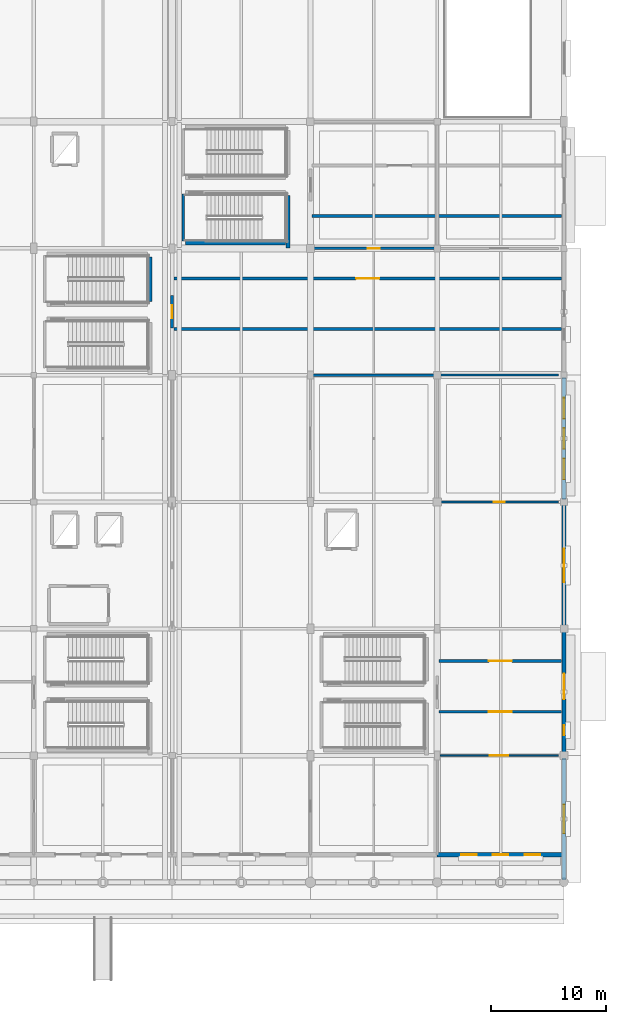
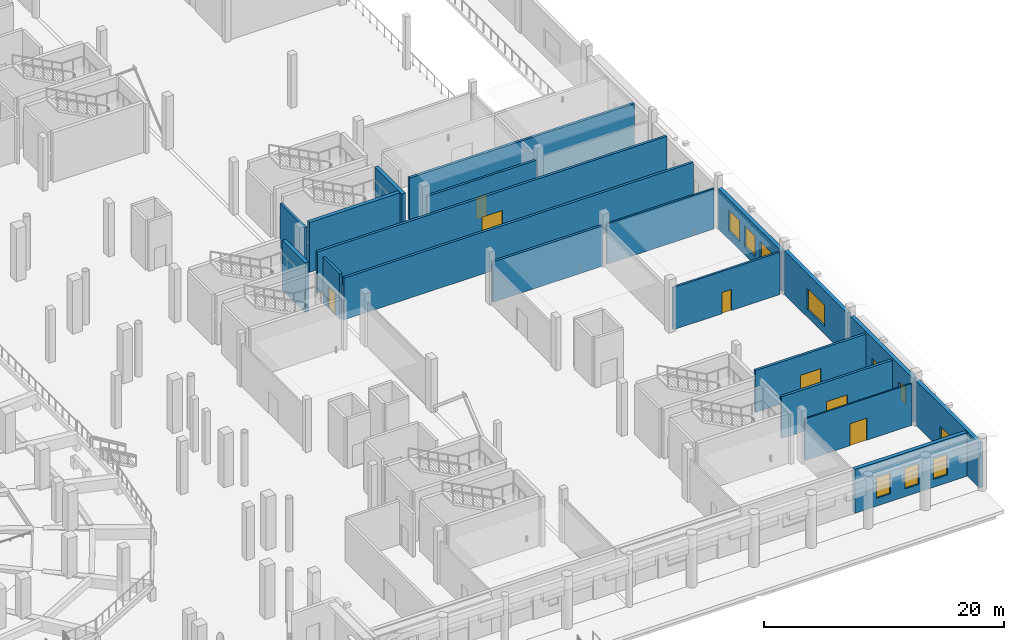
# One storey, part 65 of 120: 20 walls, 9 windows, 8 doors, 17 openings.
"""IFC4 building model written with IfcOpenShell, lengths in metres."""

from ifc_helpers import new_model, si_unit, direction, frame, frame_2d, origin, place, context, subcontext, project, spatial, rectangle, extrude, material, layer, layer_set, type_object, element, fill, save


model = new_model("IFC4")

# Units and contexts
model_context = context("Model", 3, precision=1e-05, world=origin(), true_north=direction((0.0, 1.0)))
body_context = subcontext(model_context, "Body", "Model", "MODEL_VIEW")
ifc_project = project(units=[si_unit("LENGTHUNIT", "METRE"), si_unit("AREAUNIT", "SQUARE_METRE"), si_unit("VOLUMEUNIT", "CUBIC_METRE"), si_unit("PLANEANGLEUNIT", "RADIAN"), si_unit("MASSUNIT", "GRAM", prefix="KILO")], contexts=[model_context])

# Site, building, storey
site_placement = place(None, origin())
site = spatial("IfcSite", under=ifc_project, at=site_placement, CompositionType="ELEMENT")
building_placement = place(site_placement, origin())
building = spatial("IfcBuilding", under=site, at=building_placement, Name="Luwafu Chhajja Arena", CompositionType="ELEMENT")
storey_placement = place(building_placement, origin())
storey = spatial("IfcBuildingStorey", under=building, at=storey_placement, Name="L00", CompositionType="ELEMENT", Elevation=0.0)

# Wall, opening, door
ifc_material_1 = material(Name="Acoustic gypsum and mineral wool partition")
ifc_layer_1 = layer(ifc_material_1, 0.199951171875, Name="Acoustic gypsum and mineral wool partition")
ifc_layer_set_1 = layer_set([ifc_layer_1], Name="Acoustic gypsum and mineral wool partition")
wall_type_1 = type_object("IfcWallType", Name="Acoustic Broadcast Studio Partition 200", PredefinedType="PARTITIONING", material=ifc_layer_set_1)
wall_1_placement = place(storey_placement, frame((187.219970703125, 33.0, 0.0), z_axis=(0.0, 0.0, 1.0), x_axis=(1.0, 0.0, 0.0)))
wall_1 = element("IfcWall", 1, at=wall_1_placement, inside=storey, type_object=wall_type_1, Name="L00 Internal Partition 0192", PredefinedType="PARTITIONING", context=body_context, shape_type="SweptSolid", body=[
    extrude(rectangle(XDim=10.300048828125, YDim=0.199951171875, at=frame_2d((5.14990234375, 0.0))), origin(), (0.0, 0.0, 1.0), 4.300048828125),
])
opening_1_placement = place(wall_1_placement, frame((4.679931640625, 0.0, 0.0)))
opening_1 = element("IfcOpeningElement", 2, at=opening_1_placement, cuts=wall_1, Name="Opening DR-17", PredefinedType="OPENING", context=body_context, shape_type="SweptSolid", body=[
    extrude(rectangle(XDim=0.93994140625, YDim=2.14990234375, at=frame_2d((0.469970703125, 1.074951171875))), frame((0.0, 0.10986328125, 0.0), z_axis=(0.0, -1.0, 0.0), x_axis=(1.0, 0.0, 0.0)), (0.0, 0.0, 1.0), 0.219970703125),
])
ifc_material_2 = material(Name="Acoustic steel-core timber door", Category="steel")
door_type_1 = type_object("IfcDoorType", Name="DR-17", OperationType="NOTDEFINED", PredefinedType="DOOR", material=ifc_material_2)
door_1_placement = place(opening_1_placement, origin())
door_1 = element("IfcDoor", 3, at=door_1_placement, inside=storey, type_object=door_type_1, Name="L00 Interior Door L00-D060", OperationType="SINGLE_SWING_LEFT", OverallHeight=2.14990234375, OverallWidth=0.93994140625, PredefinedType="DOOR", context=body_context, shape_type="SweptSolid", body=[
    extrude(rectangle(XDim=0.93994140625, YDim=2.14990234375, at=frame_2d((0.469970703125, 1.074951171875))), frame((0.0, 0.02490234375, 0.0), z_axis=(0.0, -1.0, 0.0), x_axis=(1.0, 0.0, 0.0)), (0.0, 0.0, 1.0), 0.050048828125),
])
fill(opening_1, door_1)

# Walls
ifc_material_3 = material(Name="Concrete blockwork masonry", Category="masonry")
ifc_layer_2 = layer(ifc_material_3, 0.239990234375, Name="Concrete blockwork masonry")
ifc_layer_set_2 = layer_set([ifc_layer_2], Name="Concrete blockwork masonry")
wall_type_2 = type_object("IfcWallType", Name="Compartment Masonry Partition 240", PredefinedType="PARTITIONING", material=ifc_layer_set_2)
wall_2_placement = place(storey_placement, frame((176.219970703125, 44.0, 0.0), z_axis=(0.0, 0.0, 1.0), x_axis=(1.0, 0.0, 0.0)))
element("IfcWall", 4, at=wall_2_placement, inside=storey, type_object=wall_type_2, Name="L00 Internal Partition 0187", PredefinedType="PARTITIONING", context=body_context, shape_type="SweptSolid", body=[
    extrude(rectangle(XDim=10.56005859375, YDim=0.239990234375, at=frame_2d((5.280029296875, 0.0))), origin(), (0.0, 0.0, 1.0), 4.10009765625),
])
wall_3_placement = place(storey_placement, frame((176.14990234375, 57.800048828125, 0.0), z_axis=(0.0, 0.0, 1.0), x_axis=(1.0, 0.0, 0.0)))
element("IfcWall", 5, at=wall_3_placement, inside=storey, type_object=wall_type_2, Name="L00 Protected Exit Passageway EI 120 Wall WXP-C10-S", PredefinedType="PARTITIONING", context=body_context, shape_type="SweptSolid", body=[
    extrude(rectangle(XDim=21.650146484375, YDim=0.239990234375, at=frame_2d((10.8251953125, 0.0))), origin(), (0.0, 0.0, 1.0), 4.300048828125),
])
wall_4_placement = place(storey_placement, frame((164.14990234375, 48.0, 0.0), z_axis=(0.0, 0.0, 1.0), x_axis=(1.0, 0.0, 0.0)))
element("IfcWall", 6, at=wall_4_placement, inside=storey, type_object=wall_type_2, Name="L00 Protected Exit Passageway EI 120 Wall WXP-C6-S", PredefinedType="PARTITIONING", context=body_context, shape_type="SweptSolid", body=[
    extrude(rectangle(XDim=33.650146484375, YDim=0.239990234375, at=frame_2d((16.8251953125, 0.0))), origin(), (0.0, 0.0, 1.0), 4.25),
])

# Wall, opening, door
wall_5_placement = place(storey_placement, frame((164.14990234375, 52.39990234375, 0.0), z_axis=(0.0, 0.0, 1.0), x_axis=(1.0, 0.0, 0.0)))
wall_5 = element("IfcWall", 7, at=wall_5_placement, inside=storey, type_object=wall_type_2, Name="L00 Protected Exit Passageway EI 120 Wall WXP-C6-N", PredefinedType="PARTITIONING", context=body_context, shape_type="SweptSolid", body=[
    extrude(rectangle(XDim=33.650146484375, YDim=0.239990234375, at=frame_2d((16.8251953125, 0.0))), origin(), (0.0, 0.0, 1.0), 4.25),
])
opening_2_placement = place(wall_5_placement, frame((15.824951171875, 0.0, 0.0)))
opening_2 = element("IfcOpeningElement", 8, at=opening_2_placement, cuts=wall_5, Name="Opening DR-08", PredefinedType="OPENING", context=body_context, shape_type="SweptSolid", body=[
    extrude(rectangle(XDim=2.0, YDim=2.25, at=frame_2d((1.0, 1.125))), frame((0.0, 0.1298828125, 0.0), z_axis=(0.0, -1.0, 0.0), x_axis=(1.0, 0.0, 0.0)), (0.0, 0.0, 1.0), 0.260009765625),
])
ifc_material_4 = material(Name="Fire-rated hardwood double leaf", Category="wood")
door_type_2 = type_object("IfcDoorType", Name="DR-08", OperationType="DOUBLE_DOOR_SINGLE_SWING", PredefinedType="DOOR", material=ifc_material_4)
door_2_placement = place(opening_2_placement, origin())
door_2 = element("IfcDoor", 9, at=door_2_placement, inside=storey, type_object=door_type_2, Name="L00 Protected Exit Passageway Fire Door L00-D065", OperationType="DOUBLE_DOOR_SINGLE_SWING", OverallHeight=2.25, OverallWidth=2.0, PredefinedType="DOOR", context=body_context, shape_type="SweptSolid", body=[
    extrude(rectangle(XDim=2.0, YDim=2.25, at=frame_2d((1.0, 1.125))), frame((0.0, 0.02490234375, 0.0), z_axis=(0.0, -1.0, 0.0), x_axis=(1.0, 0.0, 0.0)), (0.0, 0.0, 1.0), 0.050048828125),
])
fill(opening_2, door_2)

wall_6_placement = place(storey_placement, frame((187.14990234375, 14.800048828125, 0.0), z_axis=(0.0, 0.0, 1.0), x_axis=(1.0, 0.0, 0.0)))
wall_6 = element("IfcWall", 10, at=wall_6_placement, inside=storey, type_object=wall_type_2, Name="L00 Protected Exit Passageway EI 120 Wall WXP-C8-S", PredefinedType="PARTITIONING", context=body_context, shape_type="SweptSolid", body=[
    extrude(rectangle(XDim=10.650146484375, YDim=0.239990234375, at=frame_2d((5.3251953125, 0.0))), origin(), (0.0, 0.0, 1.0), 4.25),
])
opening_3_placement = place(wall_6_placement, frame((4.324951171875, 0.0, 0.0)))
opening_3 = element("IfcOpeningElement", 11, at=opening_3_placement, cuts=wall_6, Name="Opening DR-08", PredefinedType="OPENING", context=body_context, shape_type="SweptSolid", body=[
    extrude(rectangle(XDim=2.0, YDim=2.25, at=frame_2d((1.0, 1.125))), frame((0.0, 0.1298828125, 0.0), z_axis=(0.0, -1.0, 0.0), x_axis=(1.0, 0.0, 0.0)), (0.0, 0.0, 1.0), 0.260009765625),
])
door_3_placement = place(opening_3_placement, origin())
door_3 = element("IfcDoor", 12, at=door_3_placement, inside=storey, type_object=door_type_2, Name="L00 Protected Exit Passageway Fire Door L00-D072", OperationType="DOUBLE_DOOR_SINGLE_SWING", OverallHeight=2.25, OverallWidth=2.0, PredefinedType="DOOR", context=body_context, shape_type="SweptSolid", body=[
    extrude(rectangle(XDim=2.0, YDim=2.25, at=frame_2d((1.0, 1.125))), frame((0.0, 0.02490234375, 0.0), z_axis=(0.0, -1.0, 0.0), x_axis=(1.0, 0.0, 0.0)), (0.0, 0.0, 1.0), 0.050048828125),
])
fill(opening_3, door_3)

wall_7_placement = place(storey_placement, frame((187.14990234375, 19.199951171875, 0.0), z_axis=(0.0, 0.0, 1.0), x_axis=(1.0, 0.0, 0.0)))
wall_7 = element("IfcWall", 13, at=wall_7_placement, inside=storey, type_object=wall_type_2, Name="L00 Protected Exit Passageway EI 120 Wall WXP-C8-N", PredefinedType="PARTITIONING", context=body_context, shape_type="SweptSolid", body=[
    extrude(rectangle(XDim=10.650146484375, YDim=0.239990234375, at=frame_2d((5.3251953125, 0.0))), origin(), (0.0, 0.0, 1.0), 4.25),
])
opening_4_placement = place(wall_7_placement, frame((4.324951171875, 0.0, 0.0)))
opening_4 = element("IfcOpeningElement", 14, at=opening_4_placement, cuts=wall_7, Name="Opening DR-08", PredefinedType="OPENING", context=body_context, shape_type="SweptSolid", body=[
    extrude(rectangle(XDim=2.0, YDim=2.25, at=frame_2d((1.0, 1.125))), frame((0.0, 0.1298828125, 0.0), z_axis=(0.0, -1.0, 0.0), x_axis=(1.0, 0.0, 0.0)), (0.0, 0.0, 1.0), 0.260009765625),
])
door_4_placement = place(opening_4_placement, origin())
door_4 = element("IfcDoor", 15, at=door_4_placement, inside=storey, type_object=door_type_2, Name="L00 Protected Exit Passageway Fire Door L00-D073", OperationType="DOUBLE_DOOR_SINGLE_SWING", OverallHeight=2.25, OverallWidth=2.0, PredefinedType="DOOR", context=body_context, shape_type="SweptSolid", body=[
    extrude(rectangle(XDim=2.0, YDim=2.25, at=frame_2d((1.0, 1.125))), frame((0.0, 0.02490234375, 0.0), z_axis=(0.0, -1.0, 0.0), x_axis=(1.0, 0.0, 0.0)), (0.0, 0.0, 1.0), 0.050048828125),
])
fill(opening_4, door_4)

wall_8_placement = place(storey_placement, frame((164.0, 48.10009765625, 0.0), z_axis=(0.0, 0.0, 1.0), x_axis=(0.0, 1.0, 0.0)))
wall_8 = element("IfcWall", 16, at=wall_8_placement, inside=storey, type_object=wall_type_2, Name="L00 Protected Exit Corridor Mouth Wall WXP-M-C6", PredefinedType="PARTITIONING", context=body_context, shape_type="SweptSolid", body=[
    extrude(rectangle(XDim=2.7998046875, YDim=0.239990234375, at=frame_2d((1.39990234375, 0.0))), origin(), (0.0, 0.0, 1.0), 4.64990234375),
])
opening_5_placement = place(wall_8_placement, frame((0.824951171875, 0.0, 0.0)))
opening_5 = element("IfcOpeningElement", 17, at=opening_5_placement, cuts=wall_8, Name="Opening DR-06", PredefinedType="OPENING", context=body_context, shape_type="SweptSolid", body=[
    extrude(rectangle(XDim=1.14990234375, YDim=2.199951171875, at=frame_2d((0.574951171875, 1.10009765625))), frame((0.0, 0.1298828125, 0.0), z_axis=(0.0, -1.0, 0.0), x_axis=(1.0, 0.0, 0.0)), (0.0, 0.0, 1.0), 0.260009765625),
])
ifc_material_5 = material(Name="Fire-rated hardwood and steel core", Category="steel")
door_type_3 = type_object("IfcDoorType", Name="DR-06", OperationType="NOTDEFINED", PredefinedType="DOOR", material=ifc_material_5)
door_5_placement = place(opening_5_placement, origin())
door_5 = element("IfcDoor", 18, at=door_5_placement, inside=storey, type_object=door_type_3, Name="L00 Protected Exit Corridor Fire Door L00-D078", OperationType="SINGLE_SWING_RIGHT", OverallHeight=2.199951171875, OverallWidth=1.14990234375, PredefinedType="DOOR", context=body_context, shape_type="SweptSolid", body=[
    extrude(rectangle(XDim=1.14990234375, YDim=2.199951171875, at=frame_2d((0.574951171875, 1.10009765625))), frame((0.0, 0.02490234375, 0.0), z_axis=(0.0, -1.0, 0.0), x_axis=(1.0, 0.0, 0.0)), (0.0, 0.0, 1.0), 0.050048828125),
])
fill(opening_5, door_5)

ifc_material_6 = material(Name="Lightweight blockwork partition", Category="masonry")
ifc_layer_3 = layer(ifc_material_6, 0.139892578125, Name="Lightweight blockwork partition")
ifc_layer_set_3 = layer_set([ifc_layer_3], Name="Lightweight blockwork partition")
wall_type_3 = type_object("IfcWallType", Name="Concourse Kiosk Partition 140", PredefinedType="PARTITIONING", material=ifc_layer_set_3)
wall_9_placement = place(storey_placement, frame((187.219970703125, 11.0, 0.0), z_axis=(0.0, 0.0, 1.0), x_axis=(1.0, 0.0, 0.0)))
wall_9 = element("IfcWall", 19, at=wall_9_placement, inside=storey, type_object=wall_type_3, Name="L00 Internal Partition 0191", PredefinedType="PARTITIONING", context=body_context, shape_type="SweptSolid", body=[
    extrude(rectangle(XDim=10.300048828125, YDim=0.139892578125, at=frame_2d((5.14990234375, 0.0))), origin(), (0.0, 0.0, 1.0), 4.25),
])
opening_6_placement = place(wall_9_placement, frame((4.340087890625, 0.0, 0.0)))
opening_6 = element("IfcOpeningElement", 20, at=opening_6_placement, cuts=wall_9, Name="Opening DR-23", PredefinedType="OPENING", context=body_context, shape_type="SweptSolid", body=[
    extrude(rectangle(XDim=1.6201171875, YDim=2.25, at=frame_2d((0.81005859375, 1.125))), frame((0.0, 0.079833984375, 0.0), z_axis=(0.0, -1.0, 0.0), x_axis=(1.0, 0.0, 0.0)), (0.0, 0.0, 1.0), 0.159912109375),
])
ifc_material_7 = material(Name="Hardwood flush glazed double door", Category="wood")
door_type_4 = type_object("IfcDoorType", Name="DR-23", OperationType="DOUBLE_DOOR_SINGLE_SWING", PredefinedType="DOOR", material=ifc_material_7)
door_6_placement = place(opening_6_placement, origin())
door_6 = element("IfcDoor", 21, at=door_6_placement, inside=storey, type_object=door_type_4, Name="L00 Interior Door L00-D059", OperationType="DOUBLE_DOOR_SINGLE_SWING", OverallHeight=2.25, OverallWidth=1.6201171875, PredefinedType="DOOR", context=body_context, shape_type="SweptSolid", body=[
    extrude(rectangle(XDim=1.6201171875, YDim=2.25, at=frame_2d((0.81005859375, 1.125))), frame((0.0, 0.02490234375, 0.0), z_axis=(0.0, -1.0, 0.0), x_axis=(1.0, 0.0, 0.0)), (0.0, 0.0, 1.0), 0.050048828125),
])
fill(opening_6, door_6)

# Wall
ifc_layer_4 = layer(ifc_material_3, 0.179931640625, Name="Concrete blockwork masonry")
ifc_layer_set_4 = layer_set([ifc_layer_4], Name="Concrete blockwork masonry")
wall_type_4 = type_object("IfcWallType", Name="Hospitality Suite Partition 180", PredefinedType="PARTITIONING", material=ifc_layer_set_4)
wall_10_placement = place(storey_placement, frame((187.219970703125, 44.0, 0.0), z_axis=(0.0, 0.0, 1.0), x_axis=(1.0, 0.0, 0.0)))
element("IfcWall", 22, at=wall_10_placement, inside=storey, type_object=wall_type_4, Name="L00 Internal Partition 0193", PredefinedType="PARTITIONING", context=body_context, shape_type="SweptSolid", body=[
    extrude(rectangle(XDim=10.300048828125, YDim=0.179931640625, at=frame_2d((5.14990234375, 0.0))), origin(), (0.0, 0.0, 1.0), 4.10009765625),
])

# Wall, opening, door
ifc_layer_5 = layer(ifc_material_3, 0.219970703125, Name="Concrete blockwork masonry")
ifc_layer_set_5 = layer_set([ifc_layer_5], Name="Concrete blockwork masonry")
wall_type_5 = type_object("IfcWallType", Name="Protected Corridor Partition 220", PredefinedType="PARTITIONING", material=ifc_layer_set_5)
wall_11_placement = place(storey_placement, frame((176.219970703125, 55.0, 0.0), z_axis=(0.0, 0.0, 1.0), x_axis=(1.0, 0.0, 0.0)))
wall_11 = element("IfcWall", 23, at=wall_11_placement, inside=storey, type_object=wall_type_5, Name="L00 Internal Partition 0188", PredefinedType="PARTITIONING", context=body_context, shape_type="SweptSolid", body=[
    extrude(rectangle(XDim=10.56005859375, YDim=0.219970703125, at=frame_2d((5.280029296875, 0.0))), origin(), (0.0, 0.0, 1.0), 4.10009765625),
])
opening_7_placement = place(wall_11_placement, frame((4.77001953125, 0.0, 0.0)))
opening_7 = element("IfcOpeningElement", 24, at=opening_7_placement, cuts=wall_11, Name="Opening DR-13", PredefinedType="OPENING", context=body_context, shape_type="SweptSolid", body=[
    extrude(rectangle(XDim=1.02001953125, YDim=2.25, at=frame_2d((0.510009765625, 1.125))), frame((0.0, 0.119873046875, 0.0), z_axis=(0.0, -1.0, 0.0), x_axis=(1.0, 0.0, 0.0)), (0.0, 0.0, 1.0), 0.239990234375),
])
ifc_material_8 = material(Name="Veneered hardwood acoustic leaf", Category="wood")
door_type_5 = type_object("IfcDoorType", Name="DR-13", OperationType="NOTDEFINED", PredefinedType="DOOR", material=ifc_material_8)
door_7_placement = place(opening_7_placement, origin())
door_7 = element("IfcDoor", 25, at=door_7_placement, inside=storey, type_object=door_type_5, Name="L00 Interior Door L00-D058", OperationType="SINGLE_SWING_RIGHT", OverallHeight=2.25, OverallWidth=1.02001953125, PredefinedType="DOOR", context=body_context, shape_type="SweptSolid", body=[
    extrude(rectangle(XDim=1.02001953125, YDim=2.25, at=frame_2d((0.510009765625, 1.125))), frame((0.0, 0.02490234375, 0.0), z_axis=(0.0, -1.0, 0.0), x_axis=(1.0, 0.0, 0.0)), (0.0, 0.0, 1.0), 0.050048828125),
])
fill(opening_7, door_7)

# Walls
ifc_material_9 = material(Name="Concrete C40/50", Category="concrete")
ifc_layer_6 = layer(ifc_material_9, 0.35009765625, Name="Concrete C40/50")
ifc_layer_set_6 = layer_set([ifc_layer_6], Name="Concrete C40/50")
wall_type_6 = type_object("IfcWallType", Name="RC Core Shear Wall 350", PredefinedType="SOLIDWALL", material=ifc_layer_set_6)
wall_12_placement = place(storey_placement, frame((162.072021484375, 50.409912109375, 0.0), z_axis=(0.0, 0.0, 1.0), x_axis=(0.0, 1.0, 0.0)))
element("IfcWall", 26, at=wall_12_placement, inside=storey, type_object=wall_type_6, Name="L00 Stair ST-12 Core Shear Wall E", PredefinedType="SOLIDWALL", context=body_context, shape_type="SweptSolid", body=[
    extrude(rectangle(XDim=3.840087890625, YDim=0.35009765625, at=frame_2d((1.919921875, 0.0))), origin(), (0.0, 0.0, 1.0), 5.06005859375),
])
wall_13_placement = place(storey_placement, frame((174.072021484375, 55.050048828125, 0.0), z_axis=(0.0, 0.0, 1.0), x_axis=(0.0, 1.0, 0.0)))
element("IfcWall", 27, at=wall_13_placement, inside=storey, type_object=wall_type_6, Name="L00 Stair ST-19 Core Shear Wall E", PredefinedType="SOLIDWALL", context=body_context, shape_type="SweptSolid", body=[
    extrude(rectangle(XDim=4.5400390625, YDim=0.35009765625, at=frame_2d((2.27001953125, 0.0))), origin(), (0.0, 0.0, 1.0), 5.06005859375),
])
wall_14_placement = place(storey_placement, frame((165.14990234375, 55.47802734375, 0.0), z_axis=(0.0, 0.0, 1.0), x_axis=(1.0, 0.0, 0.0)))
element("IfcWall", 28, at=wall_14_placement, inside=storey, type_object=wall_type_6, Name="L00 Stair ST-19 Core Shear Wall S", PredefinedType="SOLIDWALL", context=body_context, shape_type="SweptSolid", body=[
    extrude(rectangle(XDim=8.7001953125, YDim=0.35009765625, at=frame_2d((4.35009765625, 0.0))), origin(), (0.0, 0.0, 1.0), 5.06005859375),
])

# Wall, openings, windows
ifc_material_10 = material(Name="Concrete C35/45", Category="concrete")
ifc_layer_7 = layer(ifc_material_10, 0.360107421875, Name="Concrete C35/45")
ifc_layer_set_7 = layer_set([ifc_layer_7], Name="Concrete C35/45")
wall_type_7 = type_object("IfcWallType", Name="Sandstone Backed Exterior Wall 360", PredefinedType="SOLIDWALL", material=ifc_layer_set_7)
wall_15_placement = place(storey_placement, frame((187.0, 2.39990234375, 0.0), z_axis=(0.0, 0.0, 1.0), x_axis=(1.0, 0.0, 0.0)))
wall_15 = element("IfcWall", 29, at=wall_15_placement, inside=storey, type_object=wall_type_7, Name="L00 Exterior Wall WEX-L00-091", PredefinedType="SOLIDWALL", context=body_context, shape_type="SweptSolid", body=[
    extrude(rectangle(XDim=11.0, YDim=0.360107421875, at=frame_2d((5.5, 0.0))), origin(), (0.0, 0.0, 1.0), 4.449951171875),
])
opening_8_placement = place(wall_15_placement, frame((2.074951171875, 0.0, 0.800048828125)))
opening_8 = element("IfcOpeningElement", 30, at=opening_8_placement, cuts=wall_15, Name="Opening WN-17", PredefinedType="OPENING", context=body_context, shape_type="SweptSolid", body=[
    extrude(rectangle(XDim=1.35009765625, YDim=2.10009765625, at=frame_2d((0.675048828125, 1.050048828125))), frame((0.0, 0.18994140625, 0.0), z_axis=(0.0, -1.0, 0.0), x_axis=(1.0, 0.0, 0.0)), (0.0, 0.0, 1.0), 0.380126953125),
])
opening_9_placement = place(wall_15_placement, frame((4.824951171875, 0.0, 0.800048828125)))
opening_9 = element("IfcOpeningElement", 31, at=opening_9_placement, cuts=wall_15, Name="Opening WN-17", PredefinedType="OPENING", context=body_context, shape_type="SweptSolid", body=[
    extrude(rectangle(XDim=1.35009765625, YDim=2.10009765625, at=frame_2d((0.675048828125, 1.050048828125))), frame((0.0, 0.18994140625, 0.0), z_axis=(0.0, -1.0, 0.0), x_axis=(1.0, 0.0, 0.0)), (0.0, 0.0, 1.0), 0.380126953125),
])
opening_10_placement = place(wall_15_placement, frame((7.574951171875, 0.0, 0.800048828125)))
opening_10 = element("IfcOpeningElement", 32, at=opening_10_placement, cuts=wall_15, Name="Opening WN-17", PredefinedType="OPENING", context=body_context, shape_type="SweptSolid", body=[
    extrude(rectangle(XDim=1.35009765625, YDim=2.10009765625, at=frame_2d((0.675048828125, 1.050048828125))), frame((0.0, 0.18994140625, 0.0), z_axis=(0.0, -1.0, 0.0), x_axis=(1.0, 0.0, 0.0)), (0.0, 0.0, 1.0), 0.380126953125),
])
ifc_material_11 = material(Name="Solar-control laminated glass", Category="glass")
window_type_1 = type_object("IfcWindowType", Name="Exhibition Mezzanine Lancet Window 1350x2100", PartitioningType="SINGLE_PANEL", PredefinedType="WINDOW", material=ifc_material_11)
window_1_placement = place(opening_8_placement, origin())
window_1 = element("IfcWindow", 33, at=window_1_placement, inside=storey, type_object=window_type_1, Name="L00 Facade Window 289", OverallHeight=2.10009765625, OverallWidth=1.35009765625, PartitioningType="SINGLE_PANEL", PredefinedType="WINDOW", context=body_context, shape_type="SweptSolid", body=[
    extrude(rectangle(XDim=1.35009765625, YDim=2.10009765625, at=frame_2d((0.675048828125, 1.050048828125))), frame((0.0, 0.030029296875, 0.0), z_axis=(0.0, -1.0, 0.0), x_axis=(1.0, 0.0, 0.0)), (0.0, 0.0, 1.0), 0.06005859375),
])
fill(opening_8, window_1)
window_2_placement = place(opening_9_placement, origin())
window_2 = element("IfcWindow", 34, at=window_2_placement, inside=storey, type_object=window_type_1, Name="L00 Facade Window 290", OverallHeight=2.10009765625, OverallWidth=1.35009765625, PartitioningType="SINGLE_PANEL", PredefinedType="WINDOW", context=body_context, shape_type="SweptSolid", body=[
    extrude(rectangle(XDim=1.35009765625, YDim=2.10009765625, at=frame_2d((0.675048828125, 1.050048828125))), frame((0.0, 0.030029296875, 0.0), z_axis=(0.0, -1.0, 0.0), x_axis=(1.0, 0.0, 0.0)), (0.0, 0.0, 1.0), 0.06005859375),
])
fill(opening_9, window_2)
window_3_placement = place(opening_10_placement, origin())
window_3 = element("IfcWindow", 35, at=window_3_placement, inside=storey, type_object=window_type_1, Name="L00 Facade Window 291", OverallHeight=2.10009765625, OverallWidth=1.35009765625, PartitioningType="SINGLE_PANEL", PredefinedType="WINDOW", context=body_context, shape_type="SweptSolid", body=[
    extrude(rectangle(XDim=1.35009765625, YDim=2.10009765625, at=frame_2d((0.675048828125, 1.050048828125))), frame((0.0, 0.030029296875, 0.0), z_axis=(0.0, -1.0, 0.0), x_axis=(1.0, 0.0, 0.0)), (0.0, 0.0, 1.0), 0.06005859375),
])
fill(opening_10, window_3)

# Wall, opening, window
wall_16_placement = place(storey_placement, frame((198.0, 0.219970703125, 0.0), z_axis=(0.0, 0.0, 1.0), x_axis=(0.0, 1.0, 0.0)))
wall_16 = element("IfcWall", 36, at=wall_16_placement, inside=storey, type_object=wall_type_7, Name="L00 Exterior Wall WEX-L00-092", PredefinedType="SOLIDWALL", context=body_context, shape_type="SweptSolid", body=[
    extrude(rectangle(XDim=10.56005859375, YDim=0.360107421875, at=frame_2d((5.280029296875, 0.0))), origin(), (0.0, 0.0, 1.0), 4.550048828125),
])
opening_11_placement = place(wall_16_placement, frame((4.030029296875, 0.0, 1.0)))
opening_11 = element("IfcOpeningElement", 37, at=opening_11_placement, cuts=wall_16, Name="Opening WN-20", PredefinedType="OPENING", context=body_context, shape_type="SweptSolid", body=[
    extrude(rectangle(XDim=2.5, YDim=1.35009765625, at=frame_2d((1.25, 0.675048828125))), frame((0.0, 0.18994140625, 0.0), z_axis=(0.0, -1.0, 0.0), x_axis=(1.0, 0.0, 0.0)), (0.0, 0.0, 1.0), 0.380126953125),
])
window_type_2 = type_object("IfcWindowType", Name="Broadcast Gallery Slot Window 2500x1350", PartitioningType="SINGLE_PANEL", PredefinedType="WINDOW", material=ifc_material_11)
window_4_placement = place(opening_11_placement, origin())
window_4 = element("IfcWindow", 38, at=window_4_placement, inside=storey, type_object=window_type_2, Name="L00 Facade Window 292", OverallHeight=1.35009765625, OverallWidth=2.5, PartitioningType="SINGLE_PANEL", PredefinedType="WINDOW", context=body_context, shape_type="SweptSolid", body=[
    extrude(rectangle(XDim=2.5, YDim=1.35009765625, at=frame_2d((1.25, 0.675048828125))), frame((0.0, 0.030029296875, 0.0), z_axis=(0.0, -1.0, 0.0), x_axis=(1.0, 0.0, 0.0)), (0.0, 0.0, 1.0), 0.06005859375),
])
fill(opening_11, window_4)

# Wall, openings, door, window
wall_17_placement = place(storey_placement, frame((198.0, 11.219970703125, 0.0), z_axis=(0.0, 0.0, 1.0), x_axis=(0.0, 1.0, 0.0)))
wall_17 = element("IfcWall", 39, at=wall_17_placement, inside=storey, type_object=wall_type_7, Name="L00 Exterior Wall WEX-L00-093", PredefinedType="SOLIDWALL", context=body_context, shape_type="SweptSolid", body=[
    extrude(rectangle(XDim=10.56005859375, YDim=0.360107421875, at=frame_2d((5.280029296875, 0.0))), origin(), (0.0, 0.0, 1.0), 4.449951171875),
])
opening_12_placement = place(wall_17_placement, frame((4.679931640625, 0.0, 0.0)))
opening_12 = element("IfcOpeningElement", 40, at=opening_12_placement, cuts=wall_17, Name="Opening DR-03", PredefinedType="OPENING", context=body_context, shape_type="SweptSolid", body=[
    extrude(rectangle(XDim=2.199951171875, YDim=2.35009765625, at=frame_2d((1.10009765625, 1.175048828125))), frame((0.0, 0.18994140625, 0.0), z_axis=(0.0, -1.0, 0.0), x_axis=(1.0, 0.0, 0.0)), (0.0, 0.0, 1.0), 0.380126953125),
])
opening_13_placement = place(wall_17_placement, frame((1.530029296875, 0.0, 0.800048828125)))
opening_13 = element("IfcOpeningElement", 41, at=opening_13_placement, cuts=wall_17, Name="Opening WN-16", PredefinedType="OPENING", context=body_context, shape_type="SweptSolid", body=[
    extrude(rectangle(XDim=0.89990234375, YDim=1.800048828125, at=frame_2d((0.449951171875, 0.89990234375))), frame((0.0, 0.18994140625, 0.0), z_axis=(0.0, -1.0, 0.0), x_axis=(1.0, 0.0, 0.0)), (0.0, 0.0, 1.0), 0.380126953125),
])
ifc_material_12 = material(Name="Fire-rated bronze aluminium and glazed vision leaves", Category="aluminium")
door_type_6 = type_object("IfcDoorType", Name="DR-03", OperationType="DOUBLE_DOOR_SINGLE_SWING", PredefinedType="DOOR", material=ifc_material_12)
door_8_placement = place(opening_12_placement, frame((2.199951171875, 0.0, 0.0), z_axis=(0.0, 0.0, 1.0), x_axis=(-1.0, 0.0, 0.0)))
door_8 = element("IfcDoor", 42, at=door_8_placement, inside=storey, type_object=door_type_6, Name="Stair Exit Discharge Door SX-25", OperationType="DOUBLE_DOOR_SINGLE_SWING", OverallHeight=2.35009765625, OverallWidth=2.199951171875, PredefinedType="DOOR", context=body_context, shape_type="SweptSolid", body=[
    extrude(rectangle(XDim=2.199951171875, YDim=2.35009765625, at=frame_2d((1.10009765625, 1.175048828125))), frame((0.0, 0.02490234375, 0.0), z_axis=(0.0, -1.0, 0.0), x_axis=(1.0, 0.0, 0.0)), (0.0, 0.0, 1.0), 0.050048828125),
])
fill(opening_12, door_8)
window_type_3 = type_object("IfcWindowType", Name="Stair Core Daylight Slot Window 900x1800", PartitioningType="SINGLE_PANEL", PredefinedType="WINDOW", material=ifc_material_11)
window_5_placement = place(opening_13_placement, origin())
window_5 = element("IfcWindow", 43, at=window_5_placement, inside=storey, type_object=window_type_3, Name="L00 Facade Window 293", OverallHeight=1.800048828125, OverallWidth=0.89990234375, PartitioningType="SINGLE_PANEL", PredefinedType="WINDOW", context=body_context, shape_type="SweptSolid", body=[
    extrude(rectangle(XDim=0.89990234375, YDim=1.800048828125, at=frame_2d((0.449951171875, 0.89990234375))), frame((0.0, 0.030029296875, 0.0), z_axis=(0.0, -1.0, 0.0), x_axis=(1.0, 0.0, 0.0)), (0.0, 0.0, 1.0), 0.06005859375),
])
fill(opening_13, window_5)

# Wall, opening, window
wall_18_placement = place(storey_placement, frame((198.0, 22.219970703125, 0.0), z_axis=(0.0, 0.0, 1.0), x_axis=(0.0, 1.0, 0.0)))
wall_18 = element("IfcWall", 44, at=wall_18_placement, inside=storey, type_object=wall_type_7, Name="L00 Exterior Wall WEX-L00-094", PredefinedType="SOLIDWALL", context=body_context, shape_type="SweptSolid", body=[
    extrude(rectangle(XDim=10.56005859375, YDim=0.360107421875, at=frame_2d((5.280029296875, 0.0))), origin(), (0.0, 0.0, 1.0), 4.449951171875),
])
opening_14_placement = place(wall_18_placement, frame((3.830078125, 0.0, 0.800048828125)))
opening_14 = element("IfcOpeningElement", 45, at=opening_14_placement, cuts=wall_18, Name="Opening WN-22", PredefinedType="OPENING", context=body_context, shape_type="SweptSolid", body=[
    extrude(rectangle(XDim=2.89990234375, YDim=2.14990234375, at=frame_2d((1.449951171875, 1.074951171875))), frame((0.0, 0.18994140625, 0.0), z_axis=(0.0, -1.0, 0.0), x_axis=(1.0, 0.0, 0.0)), (0.0, 0.0, 1.0), 0.380126953125),
])
window_type_4 = type_object("IfcWindowType", Name="Team Shop Display Window 2900x2150", PartitioningType="SINGLE_PANEL", PredefinedType="WINDOW", material=ifc_material_11)
window_6_placement = place(opening_14_placement, origin())
window_6 = element("IfcWindow", 46, at=window_6_placement, inside=storey, type_object=window_type_4, Name="L00 Facade Window 294", OverallHeight=2.14990234375, OverallWidth=2.89990234375, PartitioningType="SINGLE_PANEL", PredefinedType="WINDOW", context=body_context, shape_type="SweptSolid", body=[
    extrude(rectangle(XDim=2.89990234375, YDim=2.14990234375, at=frame_2d((1.449951171875, 1.074951171875))), frame((0.0, 0.030029296875, 0.0), z_axis=(0.0, -1.0, 0.0), x_axis=(1.0, 0.0, 0.0)), (0.0, 0.0, 1.0), 0.06005859375),
])
fill(opening_14, window_6)

# Wall, openings, windows
wall_19_placement = place(storey_placement, frame((198.0, 33.219970703125, 0.0), z_axis=(0.0, 0.0, 1.0), x_axis=(0.0, 1.0, 0.0)))
wall_19 = element("IfcWall", 47, at=wall_19_placement, inside=storey, type_object=wall_type_7, Name="L00 Exterior Wall WEX-L00-095", PredefinedType="SOLIDWALL", context=body_context, shape_type="SweptSolid", body=[
    extrude(rectangle(XDim=10.56005859375, YDim=0.360107421875, at=frame_2d((5.280029296875, 0.0))), origin(), (0.0, 0.0, 1.0), 4.10009765625),
])
opening_15_placement = place(wall_19_placement, frame((1.739990234375, 0.0, 0.85009765625)))
opening_15 = element("IfcOpeningElement", 48, at=opening_15_placement, cuts=wall_19, Name="Opening WN-01", PredefinedType="OPENING", context=body_context, shape_type="SweptSolid", body=[
    extrude(rectangle(XDim=1.800048828125, YDim=2.10009765625, at=frame_2d((0.89990234375, 1.050048828125))), frame((0.0, 0.18994140625, 0.0), z_axis=(0.0, -1.0, 0.0), x_axis=(1.0, 0.0, 0.0)), (0.0, 0.0, 1.0), 0.380126953125),
])
opening_16_placement = place(wall_19_placement, frame((4.3798828125, 0.0, 0.85009765625)))
opening_16 = element("IfcOpeningElement", 49, at=opening_16_placement, cuts=wall_19, Name="Opening WN-01", PredefinedType="OPENING", context=body_context, shape_type="SweptSolid", body=[
    extrude(rectangle(XDim=1.800048828125, YDim=2.10009765625, at=frame_2d((0.89990234375, 1.050048828125))), frame((0.0, 0.18994140625, 0.0), z_axis=(0.0, -1.0, 0.0), x_axis=(1.0, 0.0, 0.0)), (0.0, 0.0, 1.0), 0.380126953125),
])
opening_17_placement = place(wall_19_placement, frame((7.02001953125, 0.0, 0.85009765625)))
opening_17 = element("IfcOpeningElement", 50, at=opening_17_placement, cuts=wall_19, Name="Opening WN-01", PredefinedType="OPENING", context=body_context, shape_type="SweptSolid", body=[
    extrude(rectangle(XDim=1.800048828125, YDim=2.10009765625, at=frame_2d((0.89990234375, 1.050048828125))), frame((0.0, 0.18994140625, 0.0), z_axis=(0.0, -1.0, 0.0), x_axis=(1.0, 0.0, 0.0)), (0.0, 0.0, 1.0), 0.380126953125),
])
window_type_5 = type_object("IfcWindowType", Name="Mughal Deep-Reveal Punched Window 1800x2100", PartitioningType="SINGLE_PANEL", PredefinedType="WINDOW", material=ifc_material_11)
window_7_placement = place(opening_15_placement, origin())
window_7 = element("IfcWindow", 51, at=window_7_placement, inside=storey, type_object=window_type_5, Name="L00 Facade Window 295", OverallHeight=2.10009765625, OverallWidth=1.800048828125, PartitioningType="SINGLE_PANEL", PredefinedType="WINDOW", context=body_context, shape_type="SweptSolid", body=[
    extrude(rectangle(XDim=1.800048828125, YDim=2.10009765625, at=frame_2d((0.89990234375, 1.050048828125))), frame((0.0, 0.030029296875, 0.0), z_axis=(0.0, -1.0, 0.0), x_axis=(1.0, 0.0, 0.0)), (0.0, 0.0, 1.0), 0.06005859375),
])
fill(opening_15, window_7)
window_8_placement = place(opening_16_placement, origin())
window_8 = element("IfcWindow", 52, at=window_8_placement, inside=storey, type_object=window_type_5, Name="L00 Facade Window 296", OverallHeight=2.10009765625, OverallWidth=1.800048828125, PartitioningType="SINGLE_PANEL", PredefinedType="WINDOW", context=body_context, shape_type="SweptSolid", body=[
    extrude(rectangle(XDim=1.800048828125, YDim=2.10009765625, at=frame_2d((0.89990234375, 1.050048828125))), frame((0.0, 0.030029296875, 0.0), z_axis=(0.0, -1.0, 0.0), x_axis=(1.0, 0.0, 0.0)), (0.0, 0.0, 1.0), 0.06005859375),
])
fill(opening_16, window_8)
window_9_placement = place(opening_17_placement, origin())
window_9 = element("IfcWindow", 53, at=window_9_placement, inside=storey, type_object=window_type_5, Name="L00 Facade Window 297", OverallHeight=2.10009765625, OverallWidth=1.800048828125, PartitioningType="SINGLE_PANEL", PredefinedType="WINDOW", context=body_context, shape_type="SweptSolid", body=[
    extrude(rectangle(XDim=1.800048828125, YDim=2.10009765625, at=frame_2d((0.89990234375, 1.050048828125))), frame((0.0, 0.030029296875, 0.0), z_axis=(0.0, -1.0, 0.0), x_axis=(1.0, 0.0, 0.0)), (0.0, 0.0, 1.0), 0.06005859375),
])
fill(opening_17, window_9)

# Wall
ifc_layer_8 = layer(ifc_material_10, 0.22998046875, Name="Concrete C35/45")
ifc_layer_set_8 = layer_set([ifc_layer_8], Name="Concrete C35/45")
wall_type_8 = type_object("IfcWallType", Name="Stair Enclosure Wall 230", PredefinedType="SOLIDWALL", material=ifc_layer_set_8)
wall_20_placement = place(storey_placement, frame((164.9599609375, 55.6298828125, 0.0), z_axis=(0.0, 0.0, 1.0), x_axis=(0.0, 1.0, 0.0)))
element("IfcWall", 54, at=wall_20_placement, inside=storey, type_object=wall_type_8, Name="L00 Stair ST-19 Enclosure Wall W", PredefinedType="SOLIDWALL", context=body_context, shape_type="SweptSolid", body=[
    extrude(rectangle(XDim=4.080078125, YDim=0.22998046875, at=frame_2d((2.0400390625, 0.0))), origin(), (0.0, 0.0, 1.0), 4.449951171875),
])

save(model, "model.ifc")
